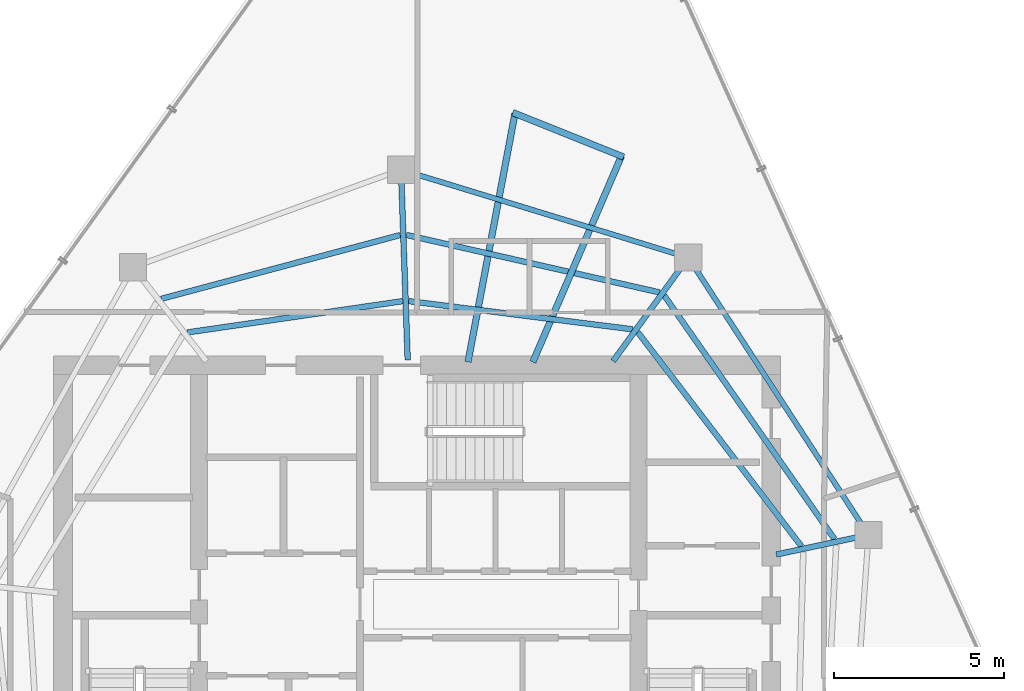
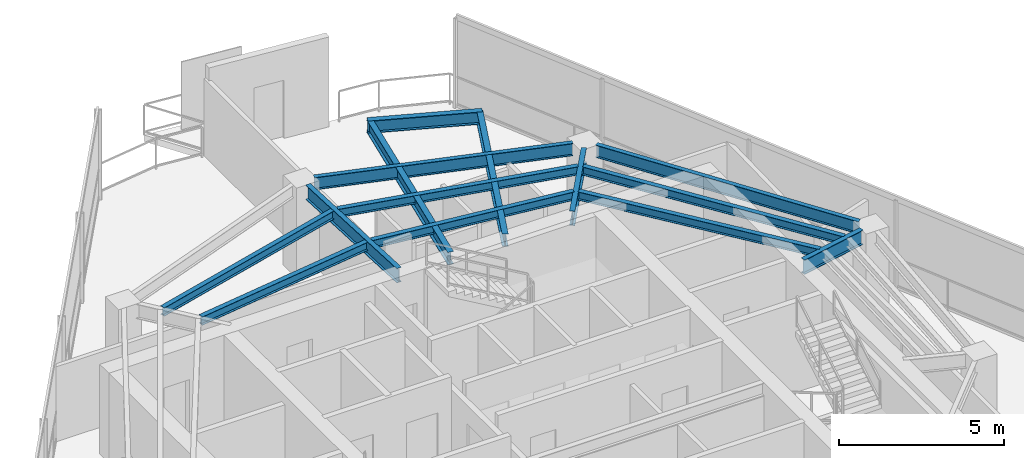
# One storey, part 9 of 18: 14 beams.
"""IFC4 building model written with IfcOpenShell, lengths in metres."""

from ifc_helpers import new_model, si_unit, direction, frame, origin, origin_2d, place, context, subcontext, project, spatial, i_section, extrude, material, material_profile, profile_set, type_object, element, save


model = new_model("IFC4")

# Units and contexts
model_context = context("Model", 3, precision=1e-05, world=origin(), true_north=direction((0.0, 1.0)))
body_context = subcontext(model_context, "Body", "Model", "MODEL_VIEW")
ifc_project = project(units=[si_unit("LENGTHUNIT", "METRE"), si_unit("AREAUNIT", "SQUARE_METRE"), si_unit("VOLUMEUNIT", "CUBIC_METRE"), si_unit("PLANEANGLEUNIT", "RADIAN"), si_unit("MASSUNIT", "GRAM", prefix="KILO")], contexts=[model_context])

# Site, building, storey
site_placement = place(None, origin())
site = spatial("IfcSite", under=ifc_project, at=site_placement, CompositionType="ELEMENT")
building_placement = place(site_placement, origin())
building = spatial("IfcBuilding", under=site, at=building_placement, Name="Qarnah Convention Tower", CompositionType="ELEMENT")
storey_placement = place(building_placement, frame((0.0, 0.0, 271.5)))
storey = spatial("IfcBuildingStorey", under=building, at=storey_placement, Name="L73", CompositionType="ELEMENT", Elevation=271.5)

# Beams
ifc_material = material(Name="Structural steel S355JR", Category="steel")
ifc_material_profile_1 = material_profile(ifc_material, i_section(OverallWidth=0.19189453125, OverallDepth=0.464111328125, WebThickness=0.010986328125, FlangeThickness=0.01806640625, at=origin_2d()), Name="W460X89")
ifc_profile_set_1 = profile_set([ifc_material_profile_1], Name="Structural steel S355JR")
beam_type_1 = type_object("IfcBeamType", Name="BM-CANT-W460A", PredefinedType="BEAM", material=ifc_profile_set_1)
beam_1_placement = place(storey_placement, frame((38.694091796875, 34.298095703125, 3.087890625), z_axis=(0.185836759901, 0.982580632146, 0.0), x_axis=(-0.982580632146, 0.185836759901, 0.0)))
element("IfcBeam", 1, at=beam_1_placement, inside=storey, type_object=beam_type_1, Name="L73 beam BM-L73-CNT-01-1", PredefinedType="BEAM", context=body_context, shape_type="SweptSolid", body=[
    extrude(i_section(OverallWidth=0.19189453125, OverallDepth=0.464111328125, WebThickness=0.010986328125, FlangeThickness=0.01806640625, at=origin_2d()), origin(), (0.0, 0.0, 1.0), 7.42529296875),
])
beam_2_placement = place(storey_placement, frame((40.596923828125, 34.2919921875, 3.087890625), z_axis=(0.395203303624, 0.918593679929, 0.0), x_axis=(-0.918593679929, 0.395203303624, 0.0)))
element("IfcBeam", 2, at=beam_2_placement, inside=storey, type_object=beam_type_1, Name="L73 beam BM-L73-CNT-01-2", PredefinedType="BEAM", context=body_context, shape_type="SweptSolid", body=[
    extrude(i_section(OverallWidth=0.19189453125, OverallDepth=0.464111328125, WebThickness=0.010986328125, FlangeThickness=0.01806640625, at=origin_2d()), origin(), (0.0, 0.0, 1.0), 6.583984375),
])
beam_3_placement = place(storey_placement, frame((40.009033203125, 41.6201171875, 3.087890625), z_axis=(0.928063247738, -0.372422620417, 0.0), x_axis=(0.372422620417, 0.928063247738, 0.0)))
element("IfcBeam", 3, at=beam_3_placement, inside=storey, type_object=beam_type_1, Name="L73 spandrel BM-L73-CTIE-01", PredefinedType="SPANDREL", context=body_context, shape_type="SweptSolid", body=[
    extrude(i_section(OverallWidth=0.19189453125, OverallDepth=0.464111328125, WebThickness=0.010986328125, FlangeThickness=0.01806640625, at=origin_2d()), origin(), (0.0, 0.0, 1.0), 3.507080078125),
])
ifc_material_profile_2 = material_profile(ifc_material, i_section(OverallWidth=0.166015625, OverallDepth=0.31201171875, WebThickness=0.007080078125, FlangeThickness=0.010986328125, at=origin_2d()), Name="W310X45")
ifc_profile_set_2 = profile_set([ifc_material_profile_2], Name="Structural steel S355JR")
beam_type_2 = type_object("IfcBeamType", Name="BM-JST-W310", PredefinedType="JOIST", material=ifc_profile_set_2)
beam_4_placement = place(storey_placement, frame((49.4599609375, 29.091064453125, 3.1640625), z_axis=(-0.573009887427, 0.819548454279, 0.0), x_axis=(-0.819548454279, -0.573009887427, 0.0)))
element("IfcBeam", 4, at=beam_4_placement, inside=storey, type_object=beam_type_2, Name="L73 joist BM-L73-SJST-01", PredefinedType="JOIST", context=body_context, shape_type="SweptSolid", body=[
    extrude(i_section(OverallWidth=0.166015625, OverallDepth=0.31201171875, WebThickness=0.007080078125, FlangeThickness=0.010986328125, at=origin_2d()), origin(), (0.0, 0.0, 1.0), 8.729248046875),
])
beam_5_placement = place(storey_placement, frame((44.318115234375, 36.339111328125, 3.1640625), z_axis=(-0.975196339646, 0.221341589269, 0.0), x_axis=(-0.221341589269, -0.975196339646, 0.0)))
element("IfcBeam", 5, at=beam_5_placement, inside=storey, type_object=beam_type_2, Name="L73 joist BM-L73-SJST-02", PredefinedType="JOIST", context=body_context, shape_type="SweptSolid", body=[
    extrude(i_section(OverallWidth=0.166015625, OverallDepth=0.31201171875, WebThickness=0.007080078125, FlangeThickness=0.010986328125, at=origin_2d()), origin(), (0.0, 0.0, 1.0), 7.626220703125),
])
beam_6_placement = place(storey_placement, frame((36.7060546875, 38.02392578125, 3.1640625), z_axis=(-0.966190302214, -0.25782998256, 0.0), x_axis=(0.25782998256, -0.966190302214, 0.0)))
element("IfcBeam", 6, at=beam_6_placement, inside=storey, type_object=beam_type_2, Name="L73 joist BM-L73-SJST-03", PredefinedType="JOIST", context=body_context, shape_type="SweptSolid", body=[
    extrude(i_section(OverallWidth=0.166015625, OverallDepth=0.31201171875, WebThickness=0.007080078125, FlangeThickness=0.010986328125, at=origin_2d()), origin(), (0.0, 0.0, 1.0), 7.2646484375),
])
beam_7_placement = place(storey_placement, frame((48.487060546875, 28.882080078125, 3.1640625), z_axis=(-0.60729325576, 0.794477753942, 0.0), x_axis=(-0.794477753942, -0.60729325576, 0.0)))
element("IfcBeam", 7, at=beam_7_placement, inside=storey, type_object=beam_type_2, Name="L73 joist BM-L73-IJST-01", PredefinedType="JOIST", context=body_context, shape_type="SweptSolid", body=[
    extrude(i_section(OverallWidth=0.166015625, OverallDepth=0.31201171875, WebThickness=0.007080078125, FlangeThickness=0.010986328125, at=origin_2d()), origin(), (0.0, 0.0, 1.0), 7.915771484375),
])
beam_8_placement = place(storey_placement, frame((43.535888671875, 35.25390625, 3.1640625), z_axis=(-0.992148311533, 0.125066893787, 0.0), x_axis=(-0.125066893787, -0.992148311533, 0.0)))
element("IfcBeam", 8, at=beam_8_placement, inside=storey, type_object=beam_type_2, Name="L73 joist BM-L73-IJST-02", PredefinedType="JOIST", context=body_context, shape_type="SweptSolid", body=[
    extrude(i_section(OverallWidth=0.166015625, OverallDepth=0.31201171875, WebThickness=0.007080078125, FlangeThickness=0.010986328125, at=origin_2d()), origin(), (0.0, 0.0, 1.0), 6.636962890625),
])
beam_9_placement = place(storey_placement, frame((36.77294921875, 36.08203125, 3.1640625), z_axis=(-0.989593962144, -0.143888116565, 0.0), x_axis=(0.143888116565, -0.989593962144, 0.0)))
element("IfcBeam", 9, at=beam_9_placement, inside=storey, type_object=beam_type_2, Name="L73 joist BM-L73-IJST-03", PredefinedType="JOIST", context=body_context, shape_type="SweptSolid", body=[
    extrude(i_section(OverallWidth=0.166015625, OverallDepth=0.31201171875, WebThickness=0.007080078125, FlangeThickness=0.010986328125, at=origin_2d()), origin(), (0.0, 0.0, 1.0), 6.386474609375),
])
ifc_material_profile_3 = material_profile(ifc_material, i_section(OverallWidth=0.166015625, OverallDepth=0.535888671875, WebThickness=0.010009765625, FlangeThickness=0.01708984375, at=origin_2d()), Name="W530X85")
ifc_profile_set_3 = profile_set([ifc_material_profile_3], Name="Structural steel S355JR")
beam_type_3 = type_object("IfcBeamType", Name="BM-RAD-W530B", PredefinedType="BEAM", material=ifc_profile_set_3)
beam_10_placement = place(storey_placement, frame((47.7470703125, 28.64111328125, 3.052001953125), z_axis=(0.978103714349, 0.20811805298, 0.0), x_axis=(-0.20811805298, 0.978103714349, 0.0)))
element("IfcBeam", 10, at=beam_10_placement, inside=storey, type_object=beam_type_3, Name="L73 beam BM-L73-RAD-01", PredefinedType="BEAM", context=body_context, shape_type="SweptSolid", body=[
    extrude(i_section(OverallWidth=0.166015625, OverallDepth=0.535888671875, WebThickness=0.010009765625, FlangeThickness=0.01708984375, at=origin_2d()), origin(), (0.0, 0.0, 1.0), 2.38720703125),
])
beam_11_placement = place(storey_placement, frame((42.955078125, 34.321044921875, 3.052001953125), z_axis=(0.587699029113, 0.809079632162, 0.0), x_axis=(-0.809079632162, 0.587699029113, 0.0)))
element("IfcBeam", 11, at=beam_11_placement, inside=storey, type_object=beam_type_3, Name="L73 beam BM-L73-RAD-02", PredefinedType="BEAM", context=body_context, shape_type="SweptSolid", body=[
    extrude(i_section(OverallWidth=0.166015625, OverallDepth=0.535888671875, WebThickness=0.010009765625, FlangeThickness=0.01708984375, at=origin_2d()), origin(), (0.0, 0.0, 1.0), 3.37890625),
])
beam_12_placement = place(storey_placement, frame((36.923095703125, 34.35009765625, 3.052001953125), z_axis=(-0.035110435588, 0.999383438582, 0.0), x_axis=(-0.999383438582, -0.035110435588, 0.0)))
element("IfcBeam", 12, at=beam_12_placement, inside=storey, type_object=beam_type_3, Name="L73 beam BM-L73-RAD-03", PredefinedType="BEAM", context=body_context, shape_type="SweptSolid", body=[
    extrude(i_section(OverallWidth=0.166015625, OverallDepth=0.535888671875, WebThickness=0.010009765625, FlangeThickness=0.01708984375, at=origin_2d()), origin(), (0.0, 0.0, 1.0), 5.215087890625),
])
ifc_material_profile_4 = material_profile(ifc_material, i_section(OverallWidth=0.154052734375, OverallDepth=0.4599609375, WebThickness=0.009033203125, FlangeThickness=0.014892578125, at=origin_2d()), Name="W460X68")
ifc_profile_set_4 = profile_set([ifc_material_profile_4], Name="Structural steel S355JR")
beam_type_4 = type_object("IfcBeamType", Name="BM-SPN-W460B", PredefinedType="SPANDREL", material=ifc_profile_set_4)
beam_13_placement = place(storey_placement, frame((50.241943359375, 29.5439453125, 3.090087890625), z_axis=(-0.544739511184, 0.838605309401, 0.0), x_axis=(-0.838605309401, -0.544739511184, 0.0)))
element("IfcBeam", 13, at=beam_13_placement, inside=storey, type_object=beam_type_4, Name="L73 spandrel BM-L73-SPN-01", PredefinedType="SPANDREL", context=body_context, shape_type="SweptSolid", body=[
    extrude(i_section(OverallWidth=0.154052734375, OverallDepth=0.4599609375, WebThickness=0.009033203125, FlangeThickness=0.014892578125, at=origin_2d()), origin(), (0.0, 0.0, 1.0), 8.9326171875),
])
beam_14_placement = place(storey_placement, frame((44.791015625, 37.47607421875, 3.090087890625), z_axis=(-0.95628886523, 0.292423675918, 0.0), x_axis=(-0.292423675918, -0.95628886523, 0.0)))
element("IfcBeam", 14, at=beam_14_placement, inside=storey, type_object=beam_type_4, Name="L73 spandrel BM-L73-SPN-02", PredefinedType="SPANDREL", context=body_context, shape_type="SweptSolid", body=[
    extrude(i_section(OverallWidth=0.154052734375, OverallDepth=0.4599609375, WebThickness=0.009033203125, FlangeThickness=0.014892578125, at=origin_2d()), origin(), (0.0, 0.0, 1.0), 8.04248046875),
])

save(model, "model.ifc")
